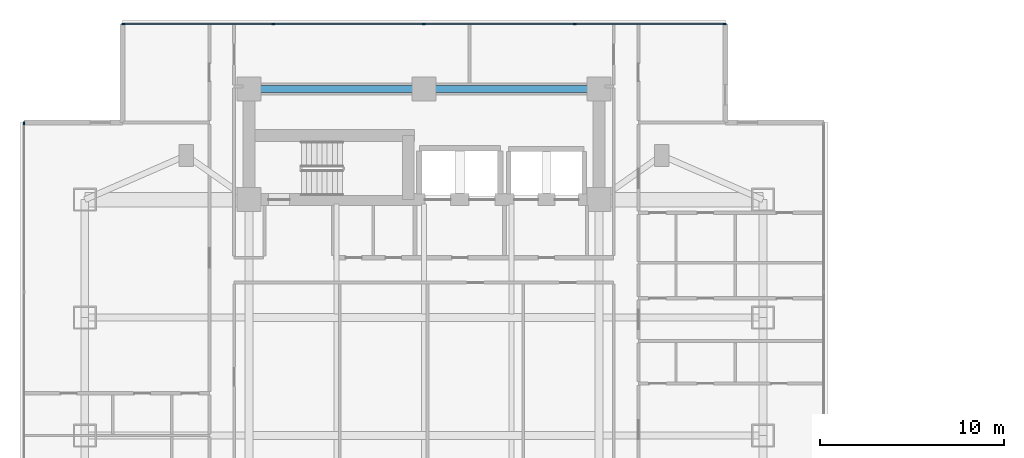
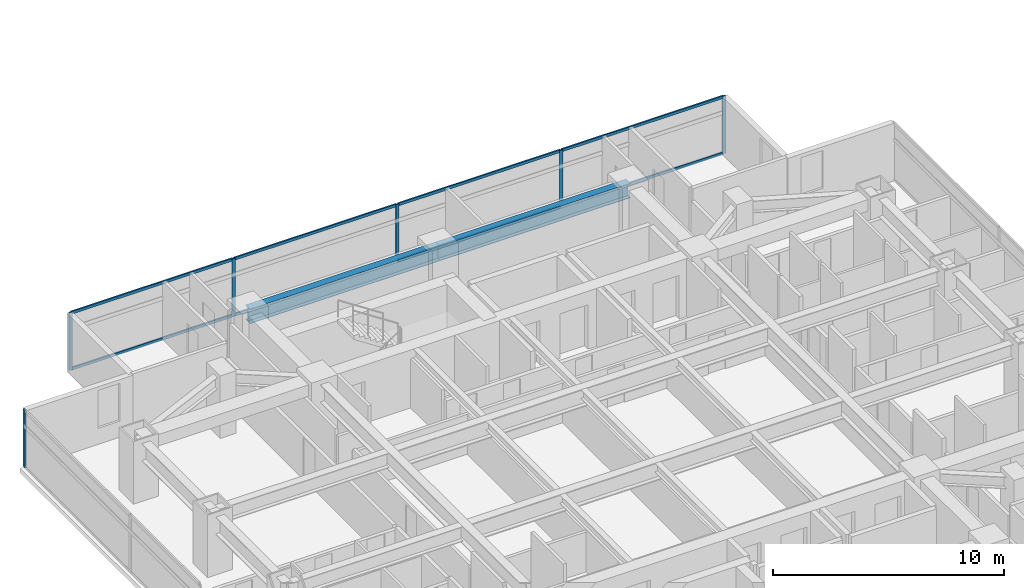
# One storey, part 7 of 24: 14 members, 2 beams, 2 elements without a shape of their own.
"""IFC4 building model written with IfcOpenShell, lengths in metres."""

import ifcopenshell
import ifcopenshell.guid

model = None  # the IFC model being written
_history = None  # IfcOwnerHistory: only IFC2X3 demands one
_inside = {}  # id of a spatial element -> (the spatial element, [elements in it])
_under = {}  # id of a project, library or spatial element -> (it, [spatial elements below it])
_declared = {}  # id of a project -> (the project, [libraries it declares])
_typed = {}  # id of a type object -> (the type object, [elements of that type])
_made_of = {}  # id of a material, layer set ... -> (it, [elements and type objects made of it])


def new_model(schema):
    """Start an empty IFC model of exactly this schema.

    Asked for "IFC4X3", IfcOpenShell would pick the latest addendum, in which some entities
    have other attributes; the version numbers below select the first issue.
    IFC2X3 requires an IfcOwnerHistory on every rooted entity: one is made here for all.
    """
    global model, _history
    if schema == "IFC4X3":
        model = ifcopenshell.file(schema_version=(4, 3, 0, 0))
    else:
        model = ifcopenshell.file(schema=schema)
    _inside.clear()
    _under.clear()
    _declared.clear()
    _typed.clear()
    _made_of.clear()
    _history = None
    if model.schema == "IFC2X3":
        org = make("IfcOrganization", Name="unknown")
        user = make(
            "IfcPersonAndOrganization",
            ThePerson=make("IfcPerson", FamilyName="unknown"),
            TheOrganization=org,
        )
        app = make(
            "IfcApplication",
            ApplicationDeveloper=org,
            Version="unknown",
            ApplicationFullName="unknown",
            ApplicationIdentifier="unknown",
        )
        _history = make(
            "IfcOwnerHistory",
            OwningUser=user,
            OwningApplication=app,
            ChangeAction="ADDED",
            CreationDate=0,
        )
    return model


def make(cls, **values):
    """One entity of the class cls with the attributes given. An attribute that is None is left unset."""
    return model.create_entity(
        cls, **{name: value for name, value in values.items() if value is not None}
    )


def rooted(cls, **values):
    """An entity with a GlobalId (a new one), such as an element, a storey or a relation."""
    return make(cls, GlobalId=ifcopenshell.guid.new(), OwnerHistory=_history, **values)


def si_unit(unit_type, name, prefix=None):
    """IfcSIUnit, for example si_unit("LENGTHUNIT", "METRE", prefix="MILLI")."""
    return make("IfcSIUnit", UnitType=unit_type, Prefix=prefix, Name=name)


def assignment(units):
    """IfcUnitAssignment: the units of a project."""
    return None if units is None else make("IfcUnitAssignment", Units=units)


def point(xyz):
    """IfcCartesianPoint."""
    return None if xyz is None else make("IfcCartesianPoint", Coordinates=xyz)


def direction(xyz):
    """IfcDirection."""
    return None if xyz is None else make("IfcDirection", DirectionRatios=xyz)


def frame(location, z_axis=None, x_axis=None):
    """IfcAxis2Placement3D, a coordinate frame: its origin and axes. An axis left out is left unset."""
    return make(
        "IfcAxis2Placement3D",
        Location=point(location),
        Axis=direction(z_axis),
        RefDirection=direction(x_axis),
    )


def frame_2d(location, x_axis=None):
    """IfcAxis2Placement2D, a coordinate frame in the plane: its origin and x axis."""
    return make(
        "IfcAxis2Placement2D", Location=point(location), RefDirection=direction(x_axis)
    )


def origin():
    """The frame at (0, 0, 0) with its axes left unset."""
    return frame((0.0, 0.0, 0.0))


def origin_2d():
    """The frame at (0, 0) in the plane with its x axis left unset."""
    return frame_2d((0.0, 0.0))


def place(relative_to, where):
    """IfcLocalPlacement: puts the frame where relative to a parent placement (None: the world)."""
    return make(
        "IfcLocalPlacement", PlacementRelTo=relative_to, RelativePlacement=where
    )


def context(
    kind, dimensions, precision=None, world=None, true_north=None, identifier=None
):
    """IfcGeometricRepresentationContext, for example the 3D "Model" context."""
    return make(
        "IfcGeometricRepresentationContext",
        ContextIdentifier=identifier,
        ContextType=kind,
        CoordinateSpaceDimension=dimensions,
        Precision=precision,
        WorldCoordinateSystem=world,
        TrueNorth=true_north,
    )


def subcontext(parent, identifier, kind, view, scale=None):
    """IfcGeometricRepresentationSubContext, for example "Body" below "Model"."""
    return make(
        "IfcGeometricRepresentationSubContext",
        ContextIdentifier=identifier,
        ContextType=kind,
        ParentContext=parent,
        TargetScale=scale,
        TargetView=view,
    )


def project(units=None, contexts=None):
    """IfcProject with its units and contexts."""
    return rooted(
        "IfcProject",
        Name="project",
        RepresentationContexts=contexts,
        UnitsInContext=assignment(units),
    )


def spatial(cls, under=None, at=None, **own):
    """A site, building, storey or space (cls), placed at a placement, below another one or the project."""
    s = rooted(cls, ObjectPlacement=at, **own)
    if under is not None:
        _under.setdefault(under.id(), (under, []))[1].append(s)
    return s


def profile(cls, at=None, kind="AREA", **sizes):
    """A parametric profile (cls). Its sizes go by their IFC names, for example OverallWidth=200.0."""
    return make(cls, ProfileType=kind, Position=at, **sizes)


def rectangle(**sizes):
    """IfcRectangleProfileDef."""
    return profile("IfcRectangleProfileDef", **sizes)


def i_section(**sizes):
    """IfcIShapeProfileDef."""
    return profile("IfcIShapeProfileDef", **sizes)


def extrude(swept, where, along, depth):
    """IfcExtrudedAreaSolid: the profile swept, set in the frame where, extruded along a direction by depth."""
    return make(
        "IfcExtrudedAreaSolid",
        SweptArea=swept,
        Position=where,
        ExtrudedDirection=direction(along),
        Depth=depth,
    )


def shape(context_of_items, identifier, shape_type, items):
    """IfcShapeRepresentation: the items that make up one representation, for example the "Body"."""
    return make(
        "IfcShapeRepresentation",
        ContextOfItems=context_of_items,
        RepresentationIdentifier=identifier,
        RepresentationType=shape_type,
        Items=items,
    )


def material(Name=None, Category=None):
    """IfcMaterial."""
    return make("IfcMaterial", Name=Name, Category=Category)


def material_profile(
    of_material, cross_section, Name=None, Category=None, Priority=None
):
    """IfcMaterialProfile: a cross section and its material."""
    return make(
        "IfcMaterialProfile",
        Name=Name,
        Material=of_material,
        Profile=cross_section,
        Priority=Priority,
        Category=Category,
    )


def profile_set(profiles, Name=None, composite=None):
    """IfcMaterialProfileSet."""
    return make(
        "IfcMaterialProfileSet",
        Name=Name,
        MaterialProfiles=profiles,
        CompositeProfile=composite,
    )


def made_of(thing, what):
    """Note that an element or type object is made of a material, layer set ...; save() writes the relation."""
    if what is not None:
        _made_of.setdefault(what.id(), (what, []))[1].append(thing)
    return thing


def type_object(cls, material=None, **own):
    """A type object (cls), such as IfcWallType, which elements share."""
    return made_of(rooted(cls, **own), material)


def element(
    cls,
    number,
    at=None,
    inside=None,
    cuts=None,
    type_object=None,
    material=None,
    context=None,
    identifier="Body",
    shape_type=None,
    held_by="IfcProductDefinitionShape",
    body=None,
    shapes=None,
    **own,
):
    """One element of the class cls, such as IfcWall. Its Tag is "e" and its number.

    at: its placement. inside: the storey or other place that contains it. cuts: it is an
    opening in that element (IfcRelVoidsElement). A single representation is given by context,
    identifier, shape_type and body (its items); several are given by shapes. held_by: the class
    of the entity that holds the representations. save() writes the other relations.
    """
    e = rooted(cls, Tag="e%d" % number, ObjectPlacement=at, **own)
    if body is not None:
        shapes = [shape(context, identifier, shape_type, body)]
    if shapes is not None:
        e.Representation = make(held_by, Representations=shapes)
    if inside is not None:
        _inside.setdefault(inside.id(), (inside, []))[1].append(e)
    if cuts is not None:
        rooted(
            "IfcRelVoidsElement", RelatingBuildingElement=cuts, RelatedOpeningElement=e
        )
    if type_object is not None:
        _typed.setdefault(type_object.id(), (type_object, []))[1].append(e)
    return made_of(e, material)


def aggregate(whole, parts):
    """IfcRelAggregates: a whole, such as a stair, and the parts it consists of."""
    return rooted("IfcRelAggregates", RelatingObject=whole, RelatedObjects=parts)


def save(model, path):
    """Write the relations noted so far, then the file.

    IfcRelAggregates (storeys below a building ...), IfcRelContainedInSpatialStructure (elements
    in a storey), IfcRelDefinesByType, IfcRelAssociatesMaterial and IfcRelDeclares: one each for
    every whole, place, type object, material and project.
    """
    for whole, parts in _under.values():
        aggregate(whole, parts)
    for where, things in _inside.values():
        rooted(
            "IfcRelContainedInSpatialStructure",
            RelatedElements=things,
            RelatingStructure=where,
        )
    for kind, things in _typed.values():
        rooted("IfcRelDefinesByType", RelatedObjects=things, RelatingType=kind)
    for what, things in _made_of.values():
        rooted("IfcRelAssociatesMaterial", RelatedObjects=things, RelatingMaterial=what)
    for by, libraries in _declared.values():
        rooted("IfcRelDeclares", RelatingContext=by, RelatedDefinitions=libraries)
    model.write(path)


model = new_model("IFC4")

# Units and contexts
model_context = context("Model", 3, precision=1e-05, world=origin(), true_north=direction((0.0, 1.0)))
body_context = subcontext(model_context, "Body", "Model", "MODEL_VIEW")
ifc_project = project(units=[si_unit("LENGTHUNIT", "METRE"), si_unit("AREAUNIT", "SQUARE_METRE"), si_unit("VOLUMEUNIT", "CUBIC_METRE"), si_unit("PLANEANGLEUNIT", "RADIAN"), si_unit("MASSUNIT", "GRAM", prefix="KILO")], contexts=[model_context])

# Site, building, storey
site_placement = place(None, origin())
site = spatial("IfcSite", under=ifc_project, at=site_placement, CompositionType="ELEMENT")
building_placement = place(site_placement, origin())
building = spatial("IfcBuilding", under=site, at=building_placement, Name="Mirazonda Arch Towers", CompositionType="ELEMENT")
storey_placement = place(building_placement, frame((0.0, 0.0, 65.300048828125)))
storey = spatial("IfcBuildingStorey", under=building, at=storey_placement, Name="L18", CompositionType="ELEMENT", Elevation=65.300048828125)

# Beams
ifc_material_1 = material(Name="Steel ASTM A992 Grade 50", Category="steel")
ifc_material_profile_1 = material_profile(ifc_material_1, i_section(OverallWidth=0.381103515625, OverallDepth=0.77294921875, WebThickness=0.0166015625, FlangeThickness=0.027099609375, at=origin_2d()), Name="W30X173")
ifc_profile_set_1 = profile_set([ifc_material_profile_1], Name="Steel ASTM A992 Grade 50")
beam_type = type_object("IfcBeamType", Name="BM-INT-W30X173", PredefinedType="USERDEFINED", material=ifc_profile_set_1)
for number, where, z_axis, x_axis, name in (
    (1, (11.0, 43.60009765625, 2.67333984375), (1.0, 0.0, 0.0), (0.0, 1.0, 0.0), "L18 Floor Beam BM-T1-L18-CN1"),
    (2, (20.5, 43.60009765625, 2.67333984375), (1.0, 0.0, 0.0), (0.0, 1.0, 0.0), "L18 Floor Beam BM-T1-L18-CN2"),
):
    element("IfcBeam", number, at=place(storey_placement, frame(where, z_axis=z_axis, x_axis=x_axis)), inside=storey, type_object=beam_type, Name=name, ObjectType="GIRDER", PredefinedType="USERDEFINED", context=body_context, shape_type="SweptSolid", body=[
        extrude(i_section(OverallWidth=0.381103515625, OverallDepth=0.77294921875, WebThickness=0.0166015625, FlangeThickness=0.027099609375, at=origin_2d()), origin(), (0.0, 0.0, 1.0), 9.5),
    ])

# Curtain wall, members
ifc_material_2 = material(Name="Anodised Aluminium and Low-E Glass", Category="aluminium")
curtain_wall_type = type_object("IfcCurtainWallType", Name="CW-HTL-UNIT", PredefinedType="NOTDEFINED", material=ifc_material_2)
curtain_wall_1_placement = place(storey_placement, origin())
curtain_wall_1 = element("IfcCurtainWall", 3, at=curtain_wall_1_placement, inside=storey, type_object=curtain_wall_type, Name="L18 T1 N Facade CW-L18-T1-N", PredefinedType="NOTDEFINED")
ifc_material_3 = material(Name="Anodised Aluminium Alloy", Category="aluminium")
ifc_material_profile_2 = material_profile(ifc_material_3, rectangle(XDim=0.074951171875, YDim=0.1650390625, at=origin_2d()), Name="ALU-MULL-75x165")
ifc_profile_set_2 = profile_set([ifc_material_profile_2], Name="Anodised Aluminium Alloy")
member_type_1 = type_object("IfcMemberType", Name="MULL-CW-HTL-UNIT", PredefinedType="MULLION", material=ifc_profile_set_2)
member_1_placement = place(storey_placement, frame((4.177490234375, 47.132080078125, 0.0), z_axis=(0.0, 0.0, 1.0), x_axis=(0.0, 1.0, 0.0)))
member_1 = element("IfcMember", 4, at=member_1_placement, type_object=member_type_1, Name="CW-112 mullion 1", PredefinedType="MULLION", context=body_context, shape_type="SweptSolid", body=[
    extrude(rectangle(XDim=0.074951171875, YDim=0.1650390625, at=origin_2d()), origin(), (0.0, 0.0, 1.0), 3.0400390625),
])
member_2_placement = place(storey_placement, frame((12.320068359375, 47.132080078125, 0.0), z_axis=(0.0, 0.0, 1.0), x_axis=(0.0, 1.0, 0.0)))
member_2 = element("IfcMember", 5, at=member_2_placement, type_object=member_type_1, Name="CW-112 mullion 2", PredefinedType="MULLION", context=body_context, shape_type="SweptSolid", body=[
    extrude(rectangle(XDim=0.074951171875, YDim=0.1650390625, at=origin_2d()), origin(), (0.0, 0.0, 1.0), 3.0400390625),
])
member_3_placement = place(storey_placement, frame((20.5, 47.132080078125, 0.0), z_axis=(0.0, 0.0, 1.0), x_axis=(0.0, 1.0, 0.0)))
member_3 = element("IfcMember", 6, at=member_3_placement, type_object=member_type_1, Name="CW-112 mullion 3", PredefinedType="MULLION", context=body_context, shape_type="SweptSolid", body=[
    extrude(rectangle(XDim=0.074951171875, YDim=0.1650390625, at=origin_2d()), origin(), (0.0, 0.0, 1.0), 3.0400390625),
])
member_4_placement = place(storey_placement, frame((28.679931640625, 47.132080078125, 0.0), z_axis=(0.0, 0.0, 1.0), x_axis=(0.0, 1.0, 0.0)))
member_4 = element("IfcMember", 7, at=member_4_placement, type_object=member_type_1, Name="CW-112 mullion 4", PredefinedType="MULLION", context=body_context, shape_type="SweptSolid", body=[
    extrude(rectangle(XDim=0.074951171875, YDim=0.1650390625, at=origin_2d()), origin(), (0.0, 0.0, 1.0), 3.0400390625),
])
member_5_placement = place(storey_placement, frame((36.822509765625, 47.132080078125, 0.0), z_axis=(0.0, 0.0, 1.0), x_axis=(0.0, 1.0, 0.0)))
member_5 = element("IfcMember", 8, at=member_5_placement, type_object=member_type_1, Name="CW-112 mullion 5", PredefinedType="MULLION", context=body_context, shape_type="SweptSolid", body=[
    extrude(rectangle(XDim=0.074951171875, YDim=0.1650390625, at=origin_2d()), origin(), (0.0, 0.0, 1.0), 3.0400390625),
])

# Curtain wall, member
curtain_wall_2_placement = place(storey_placement, origin())
curtain_wall_2 = element("IfcCurtainWall", 9, at=curtain_wall_2_placement, inside=storey, type_object=curtain_wall_type, Name="L18 T1 W Facade CW-L18-T1-W", PredefinedType="NOTDEFINED")
member_6_placement = place(storey_placement, frame((-1.199951171875, 41.75439453125, 0.0), z_axis=(0.0, 0.0, 1.0), x_axis=(1.0, 0.0, 0.0)))
member_6 = element("IfcMember", 10, at=member_6_placement, type_object=member_type_1, Name="CW-112 mullion 1", PredefinedType="MULLION", context=body_context, shape_type="SweptSolid", body=[
    extrude(rectangle(XDim=0.074951171875, YDim=0.1650390625, at=origin_2d()), origin(), (0.0, 0.0, 1.0), 3.0400390625),
])
aggregate(curtain_wall_2, [member_6])

# Member
ifc_material_profile_3 = material_profile(ifc_material_3, rectangle(XDim=0.074951171875, YDim=0.14501953125, at=origin_2d()), Name="ALU-TRAN-75x145")
ifc_profile_set_3 = profile_set([ifc_material_profile_3], Name="Anodised Aluminium Alloy")
member_type_2 = type_object("IfcMemberType", Name="TRAN-CW-HTL-UNIT", PredefinedType="USERDEFINED", material=ifc_profile_set_3)
member_7_placement = place(storey_placement, frame((4.215087890625, 47.132080078125, 0.037353515625), z_axis=(1.0, 0.0, 0.0), x_axis=(0.0, 1.0, 0.0)))
member_7 = element("IfcMember", 11, at=member_7_placement, type_object=member_type_2, Name="CW-112 transom 1.1", ObjectType="TRANSOM", PredefinedType="USERDEFINED", context=body_context, shape_type="SweptSolid", body=[
    extrude(rectangle(XDim=0.074951171875, YDim=0.14501953125, at=origin_2d()), origin(), (0.0, 0.0, 1.0), 8.0673828125),
])

member_8_placement = place(storey_placement, frame((4.215087890625, 47.132080078125, 3.00244140625), z_axis=(1.0, 0.0, 0.0), x_axis=(0.0, 1.0, 0.0)))
member_8 = element("IfcMember", 12, at=member_8_placement, type_object=member_type_2, Name="CW-112 transom 1.2", ObjectType="TRANSOM", PredefinedType="USERDEFINED", context=body_context, shape_type="SweptSolid", body=[
    extrude(rectangle(XDim=0.074951171875, YDim=0.14501953125, at=origin_2d()), origin(), (0.0, 0.0, 1.0), 8.0673828125),
])

member_9_placement = place(storey_placement, frame((12.357421875, 47.132080078125, 0.037353515625), z_axis=(1.0, 0.0, 0.0), x_axis=(0.0, 1.0, 0.0)))
member_9 = element("IfcMember", 13, at=member_9_placement, type_object=member_type_2, Name="CW-112 transom 2.1", ObjectType="TRANSOM", PredefinedType="USERDEFINED", context=body_context, shape_type="SweptSolid", body=[
    extrude(rectangle(XDim=0.074951171875, YDim=0.14501953125, at=origin_2d()), origin(), (0.0, 0.0, 1.0), 8.10498046875),
])

member_10_placement = place(storey_placement, frame((12.357421875, 47.132080078125, 3.00244140625), z_axis=(1.0, 0.0, 0.0), x_axis=(0.0, 1.0, 0.0)))
member_10 = element("IfcMember", 14, at=member_10_placement, type_object=member_type_2, Name="CW-112 transom 2.2", ObjectType="TRANSOM", PredefinedType="USERDEFINED", context=body_context, shape_type="SweptSolid", body=[
    extrude(rectangle(XDim=0.074951171875, YDim=0.14501953125, at=origin_2d()), origin(), (0.0, 0.0, 1.0), 8.10498046875),
])

member_11_placement = place(storey_placement, frame((20.53759765625, 47.132080078125, 0.037353515625), z_axis=(1.0, 0.0, 0.0), x_axis=(0.0, 1.0, 0.0)))
member_11 = element("IfcMember", 15, at=member_11_placement, type_object=member_type_2, Name="CW-112 transom 3.1", ObjectType="TRANSOM", PredefinedType="USERDEFINED", context=body_context, shape_type="SweptSolid", body=[
    extrude(rectangle(XDim=0.074951171875, YDim=0.14501953125, at=origin_2d()), origin(), (0.0, 0.0, 1.0), 8.10498046875),
])

member_12_placement = place(storey_placement, frame((20.53759765625, 47.132080078125, 3.00244140625), z_axis=(1.0, 0.0, 0.0), x_axis=(0.0, 1.0, 0.0)))
member_12 = element("IfcMember", 16, at=member_12_placement, type_object=member_type_2, Name="CW-112 transom 3.2", ObjectType="TRANSOM", PredefinedType="USERDEFINED", context=body_context, shape_type="SweptSolid", body=[
    extrude(rectangle(XDim=0.074951171875, YDim=0.14501953125, at=origin_2d()), origin(), (0.0, 0.0, 1.0), 8.10498046875),
])

member_13_placement = place(storey_placement, frame((28.717529296875, 47.132080078125, 0.037353515625), z_axis=(1.0, 0.0, 0.0), x_axis=(0.0, 1.0, 0.0)))
member_13 = element("IfcMember", 17, at=member_13_placement, type_object=member_type_2, Name="CW-112 transom 4.1", ObjectType="TRANSOM", PredefinedType="USERDEFINED", context=body_context, shape_type="SweptSolid", body=[
    extrude(rectangle(XDim=0.074951171875, YDim=0.14501953125, at=origin_2d()), origin(), (0.0, 0.0, 1.0), 8.0673828125),
])

member_14_placement = place(storey_placement, frame((28.717529296875, 47.132080078125, 3.00244140625), z_axis=(1.0, 0.0, 0.0), x_axis=(0.0, 1.0, 0.0)))
member_14 = element("IfcMember", 18, at=member_14_placement, type_object=member_type_2, Name="CW-112 transom 4.2", ObjectType="TRANSOM", PredefinedType="USERDEFINED", context=body_context, shape_type="SweptSolid", body=[
    extrude(rectangle(XDim=0.074951171875, YDim=0.14501953125, at=origin_2d()), origin(), (0.0, 0.0, 1.0), 8.0673828125),
])

aggregate(curtain_wall_1, [member_1, member_2, member_3, member_4, member_5, member_7, member_8, member_9, member_10, member_11, member_12, member_13, member_14])

save(model, "model.ifc")
